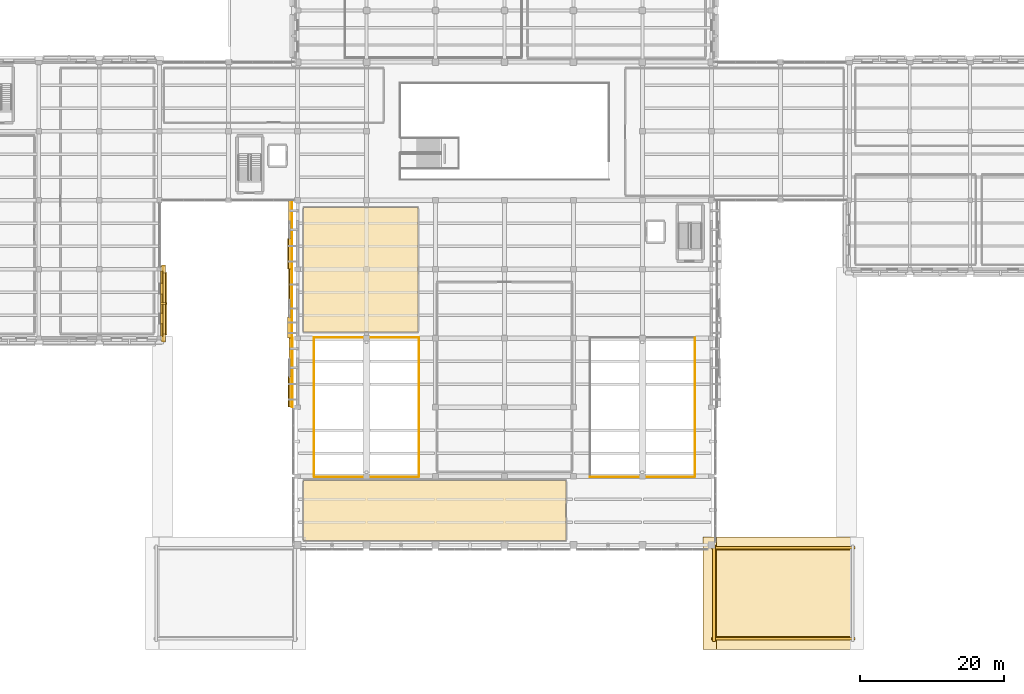
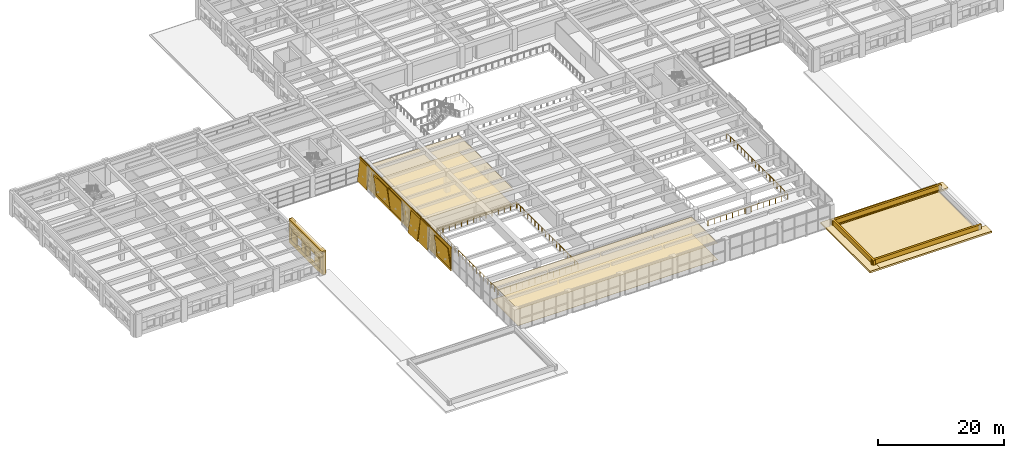
# One storey, part 40 of 49: 30 coverings, 3 railings, 1 shading device.
"""IFC4 building model written with IfcOpenShell, lengths in metres."""

from ifc_helpers import new_model, si_unit, direction, frame, origin, origin_2d, place, context, subcontext, project, spatial, polyline, rectangle, circle, outline, extrude, material, layer, layer_set, type_object, element, save


model = new_model("IFC4")

# Units and contexts
model_context = context("Model", 3, precision=1e-05, world=origin(), true_north=direction((0.0, 1.0)))
body_context = subcontext(model_context, "Body", "Model", "MODEL_VIEW")
ifc_project = project(units=[si_unit("LENGTHUNIT", "METRE"), si_unit("AREAUNIT", "SQUARE_METRE"), si_unit("VOLUMEUNIT", "CUBIC_METRE"), si_unit("PLANEANGLEUNIT", "RADIAN"), si_unit("MASSUNIT", "GRAM", prefix="KILO")], contexts=[model_context])

# Site, building, storey
site_placement = place(None, origin())
site = spatial("IfcSite", under=ifc_project, at=site_placement, CompositionType="ELEMENT")
building_placement = place(site_placement, origin())
building = spatial("IfcBuilding", under=site, at=building_placement, Name="Bempovik Park Faculty of Sciences", CompositionType="ELEMENT")
storey_placement = place(building_placement, frame((0.0, 0.0, 5.39990234375)))
storey = spatial("IfcBuildingStorey", under=building, at=storey_placement, Name="L01", CompositionType="ELEMENT", Elevation=5.39990234375)

# Coverings
ifc_material_1 = material(Name="Acoustic mineral ceiling tile")
ifc_layer_1 = layer(ifc_material_1, 0.0400390625)
ifc_layer_set_1 = layer_set([ifc_layer_1], Name="Acoustic mineral ceiling tile")
covering_type_1 = type_object("IfcCoveringType", Name="CE-01 Acoustic Ceiling 40mm", PredefinedType="CEILING", material=ifc_layer_set_1)
covering_1_placement = place(storey_placement, frame((0.0, 0.0, 3.18017578125)))
element("IfcCovering", 1, at=covering_1_placement, inside=storey, type_object=covering_type_1, Name="L01 Science Learning Commons South Reading Hall Acoustic Ceiling", PredefinedType="CEILING", context=body_context, shape_type="SweptSolid", body=[
    extrude(outline(polyline([(60.830078125, 20.429931640625), (97.3701171875, 20.429931640625), (97.3701171875, 28.77001953125), (60.830078125, 28.77001953125), (60.830078125, 20.429931640625)])), origin(), (0.0, 0.0, 1.0), 0.0400390625),
])
covering_2_placement = place(storey_placement, frame((0.0, 0.0, 3.18017578125)))
element("IfcCovering", 2, at=covering_2_placement, inside=storey, type_object=covering_type_1, Name="L01 Crystal West Seminar Room Acoustic Ceiling", PredefinedType="CEILING", context=body_context, shape_type="SweptSolid", body=[
    extrude(outline(polyline([(60.830078125, 49.429931640625), (76.77001953125, 49.429931640625), (76.77001953125, 66.77001953125), (60.830078125, 66.77001953125), (60.830078125, 49.429931640625)])), origin(), (0.0, 0.0, 1.0), 0.0400390625),
])
ifc_material_2 = material(Name="White reconstituted limestone precast C40/50", Category="masonry")
ifc_layer_2 = layer(ifc_material_2, 0.1201171875)
ifc_layer_set_2 = layer_set([ifc_layer_2], Name="White reconstituted limestone precast C40/50")
covering_type_2 = type_object("IfcCoveringType", Name="CL-01 Crystal Limestone Facet 120mm", PredefinedType="CLADDING", material=ifc_layer_set_2)
covering_3_placement = place(storey_placement, frame((59.257080078125, 43.800048828125, -0.0400390625), z_axis=(0.0, 0.0, 1.0), x_axis=(1.0, 0.0, 0.0)))
element("IfcCovering", 3, at=covering_3_placement, inside=storey, type_object=covering_type_2, Name="L01 White Crystal Seam Backing 600-390", PredefinedType="CLADDING", context=body_context, shape_type="SweptSolid", body=[
    extrude(rectangle(XDim=0.10009765625, YDim=9.679931640625, at=origin_2d()), origin(), (0.0, 0.0, 1.0), 4.580078125),
])
covering_4_placement = place(storey_placement, frame((59.320068359375, 41.1474609375, -0.02001953125), z_axis=(-0.132256390257, 0.0, 0.991215540252), x_axis=(0.0, 1.0, 0.0)))
element("IfcCovering", 4, at=covering_4_placement, inside=storey, type_object=covering_type_2, Name="L01 Tilted Crystal Limestone Facet FAC-CRYS-L01-600-390", PredefinedType="CLADDING", context=body_context, shape_type="SweptSolid", body=[
    extrude(rectangle(XDim=4.294921875, YDim=0.139892578125, at=origin_2d()), origin(), (0.0, 0.0, 1.0), 4.580078125),
])
covering_5_placement = place(storey_placement, frame((58.849609375, 47.12744140625, -0.02880859375), z_axis=(0.099319749744, 0.0, 0.995055569961), x_axis=(0.0, 1.0, 0.0)))
element("IfcCovering", 5, at=covering_5_placement, inside=storey, type_object=covering_type_2, Name="L01 Counter-Tilted Crystal Facet FAC-CRYS-L01-600-390-R", PredefinedType="CLADDING", context=body_context, shape_type="SweptSolid", body=[
    extrude(rectangle(XDim=2.945068359375, YDim=0.139892578125, at=origin_2d()), origin(), (0.0, 0.0, 1.0), 4.580078125),
])
covering_6_placement = place(storey_placement, frame((59.2412109375, 53.39990234375, -0.0400390625), z_axis=(0.0, 0.0, 1.0), x_axis=(1.0, 0.0, 0.0)))
element("IfcCovering", 6, at=covering_6_placement, inside=storey, type_object=covering_type_2, Name="L01 White Crystal Seam Backing 600-486", PredefinedType="CLADDING", context=body_context, shape_type="SweptSolid", body=[
    extrude(rectangle(XDim=0.10009765625, YDim=9.679931640625, at=origin_2d()), origin(), (0.0, 0.0, 1.0), 4.580078125),
])
covering_7_placement = place(storey_placement, frame((58.6826171875, 50.072509765625, -0.017822265625), z_axis=(0.13917310096, 0.0, 0.990268068742), x_axis=(0.0, 1.0, 0.0)))
element("IfcCovering", 7, at=covering_7_placement, inside=storey, type_object=covering_type_2, Name="L01 Tilted Crystal Limestone Facet FAC-CRYS-L01-600-486", PredefinedType="CLADDING", context=body_context, shape_type="SweptSolid", body=[
    extrude(rectangle(XDim=2.945068359375, YDim=0.139892578125, at=origin_2d()), origin(), (0.0, 0.0, 1.0), 4.580078125),
])
covering_8_placement = place(storey_placement, frame((59.300537109375, 56.052490234375, -0.027587890625), z_axis=(-0.104528463268, 0.0, 0.994521895368), x_axis=(0.0, 1.0, 0.0)))
element("IfcCovering", 8, at=covering_8_placement, inside=storey, type_object=covering_type_2, Name="L01 Counter-Tilted Crystal Facet FAC-CRYS-L01-600-486-R", PredefinedType="CLADDING", context=body_context, shape_type="SweptSolid", body=[
    extrude(rectangle(XDim=4.294921875, YDim=0.139892578125, at=origin_2d()), origin(), (0.0, 0.0, 1.0), 4.580078125),
])
covering_9_placement = place(storey_placement, frame((59.2333984375, 63.0, -0.0400390625), z_axis=(0.0, 0.0, 1.0), x_axis=(1.0, 0.0, 0.0)))
element("IfcCovering", 9, at=covering_9_placement, inside=storey, type_object=covering_type_2, Name="L01 White Crystal Seam Backing 600-582", PredefinedType="CLADDING", context=body_context, shape_type="SweptSolid", body=[
    extrude(rectangle(XDim=0.10009765625, YDim=9.679931640625, at=origin_2d()), origin(), (0.0, 0.0, 1.0), 4.580078125),
])
covering_10_placement = place(storey_placement, frame((59.320068359375, 60.347412109375, -0.0166015625), z_axis=(-0.142628933706, 0.0, 0.989776230908), x_axis=(0.0, 1.0, 0.0)))
element("IfcCovering", 10, at=covering_10_placement, inside=storey, type_object=covering_type_2, Name="L01 Tilted Crystal Limestone Facet FAC-CRYS-L01-600-582", PredefinedType="CLADDING", context=body_context, shape_type="SweptSolid", body=[
    extrude(rectangle(XDim=4.294921875, YDim=0.139892578125, at=origin_2d()), origin(), (0.0, 0.0, 1.0), 4.580078125),
])
covering_11_placement = place(storey_placement, frame((58.80810546875, 66.327392578125, -0.02685546875), z_axis=(0.107131754314, 0.0, 0.994244832633), x_axis=(0.0, 1.0, 0.0)))
element("IfcCovering", 11, at=covering_11_placement, inside=storey, type_object=covering_type_2, Name="L01 Counter-Tilted Crystal Facet FAC-CRYS-L01-600-582-R", PredefinedType="CLADDING", context=body_context, shape_type="SweptSolid", body=[
    extrude(rectangle(XDim=2.945068359375, YDim=0.139892578125, at=origin_2d()), origin(), (0.0, 0.0, 1.0), 4.580078125),
])
ifc_material_3 = material(Name="Precast concrete C40/50", Category="concrete")
ifc_layer_3 = layer(ifc_material_3, 0.179931640625)
ifc_layer_set_3 = layer_set([ifc_layer_3], Name="Precast concrete C40/50")
covering_type_3 = type_object("IfcCoveringType", Name="CL-02 Classical Cornice Band 180mm", PredefinedType="CLADDING", material=ifc_layer_set_3)
covering_12_placement = place(storey_placement, frame((41.300048828125, 53.39990234375, 4.14013671875), z_axis=(0.0, 0.0, 1.0), x_axis=(1.0, 0.0, 0.0)))
element("IfcCovering", 12, at=covering_12_placement, inside=storey, type_object=covering_type_3, Name="L01 Classical Projecting Dentil Cornice EW-L01-6400", PredefinedType="CLADDING", context=body_context, shape_type="SweptSolid", body=[
    extrude(rectangle(XDim=0.719970703125, YDim=10.406005859375, at=origin_2d()), origin(), (0.0, 0.0, 1.0), 0.360107421875),
])
covering_13_placement = place(storey_placement, frame((41.39990234375, 53.39990234375, 2.6103515625), z_axis=(0.0, 0.0, 1.0), x_axis=(1.0, 0.0, 0.0)))
element("IfcCovering", 13, at=covering_13_placement, inside=storey, type_object=covering_type_3, Name="L01 Classical Stone Solar Window Hood EW-L01-6400", PredefinedType="CLADDING", context=body_context, shape_type="SweptSolid", body=[
    extrude(rectangle(XDim=0.919921875, YDim=8.7060546875, at=origin_2d()), origin(), (0.0, 0.0, 1.0), 0.219970703125),
])
for number, where, z_axis, x_axis, name in (
    (14, (127.60009765625, 6.175048828125, -0.06982421875), (0.0, 0.0, 1.0), (1.0, 0.0, 0.0), "Classical Deep Overhanging Stone Eave COLE-S"),
    (15, (127.60009765625, 20.02490234375, -0.06982421875), (0.0, 0.0, 1.0), (1.0, 0.0, 0.0), "Classical Deep Overhanging Stone Eave COLE-N"),
):
    element("IfcCovering", number, at=place(storey_placement, frame(where, z_axis=z_axis, x_axis=x_axis)), inside=storey, type_object=covering_type_3, Name=name, PredefinedType="CLADDING", context=body_context, shape_type="SweptSolid", body=[
        extrude(rectangle(XDim=22.300048828125, YDim=1.85009765625, at=origin_2d()), origin(), (0.0, 0.0, 1.0), 0.340087890625),
    ])
covering_14_placement = place(storey_placement, frame((117.375, 13.10009765625, -0.06982421875), z_axis=(0.0, 0.0, 1.0), x_axis=(1.0, 0.0, 0.0)))
element("IfcCovering", 16, at=covering_14_placement, inside=storey, type_object=covering_type_3, Name="Classical Deep Overhanging Stone Eave COLE-W", PredefinedType="CLADDING", context=body_context, shape_type="SweptSolid", body=[
    extrude(rectangle(XDim=1.85009765625, YDim=15.699951171875, at=origin_2d()), origin(), (0.0, 0.0, 1.0), 0.340087890625),
])
ifc_layer_4 = layer(ifc_material_2, 0.239990234375)
ifc_layer_set_4 = layer_set([ifc_layer_4], Name="White reconstituted limestone precast C40/50")
covering_type_4 = type_object("IfcCoveringType", Name="CL-03 Classical Fluted Limestone Pilaster 240mm", PredefinedType="CLADDING", material=ifc_layer_set_4)
covering_15_placement = place(storey_placement, frame((41.110107421875, 53.39990234375, 3.22021484375), z_axis=(0.0, 0.0, 1.0), x_axis=(1.0, 0.0, 0.0)))
element("IfcCovering", 17, at=covering_15_placement, inside=storey, type_object=covering_type_4, Name="L01 Classical Limestone Spandrel Entablature EW-L01-6400", PredefinedType="CLADDING", context=body_context, shape_type="SweptSolid", body=[
    extrude(rectangle(XDim=0.340087890625, YDim=10.406005859375, at=origin_2d()), origin(), (0.0, 0.0, 1.0), 1.280029296875),
])
covering_16_placement = place(storey_placement, frame((41.110107421875, 53.39990234375, 0.0), z_axis=(0.0, 0.0, 1.0), x_axis=(1.0, 0.0, 0.0)))
element("IfcCovering", 18, at=covering_16_placement, inside=storey, type_object=covering_type_4, Name="L01 Classical Limestone Sill Dado EW-L01-6400", PredefinedType="CLADDING", context=body_context, shape_type="SweptSolid", body=[
    extrude(rectangle(XDim=0.340087890625, YDim=10.406005859375, at=origin_2d()), origin(), (0.0, 0.0, 1.0), 0.780029296875),
])
for number, where, z_axis, x_axis, name in (
    (19, (41.330078125, 48.60009765625, 0.0), (0.0, 0.0, 1.0), (1.0, 0.0, 0.0), "L01 Classical Fluted Stone Pilaster PIL-BA-L01-413-486"),
    (20, (41.330078125, 58.199951171875, 0.0), (0.0, 0.0, 1.0), (1.0, 0.0, 0.0), "L01 Classical Fluted Stone Pilaster PIL-BA-L01-413-582"),
):
    element("IfcCovering", number, at=place(storey_placement, frame(where, z_axis=z_axis, x_axis=x_axis)), inside=storey, type_object=covering_type_4, Name=name, PredefinedType="CLADDING", context=body_context, shape_type="SweptSolid", body=[
        extrude(rectangle(XDim=0.580078125, YDim=1.10009765625, at=origin_2d()), origin(), (0.0, 0.0, 1.0), 4.5),
    ])
covering_17_placement = place(storey_placement, frame((41.10009765625, 49.724609375, 0.000244140625), z_axis=(0.0, 0.0, 1.0), x_axis=(1.0, 0.0, 0.0)))
element("IfcCovering", 21, at=covering_17_placement, inside=storey, type_object=covering_type_4, Name="L01 White Limestone Wall Cheek EW-L01-6400-0", PredefinedType="CLADDING", context=body_context, shape_type="SweptSolid", body=[
    extrude(rectangle(XDim=0.239990234375, YDim=1.705078125, at=origin_2d()), origin(), (0.0, 0.0, 1.0), 3.3798828125),
])
covering_18_placement = place(storey_placement, frame((41.10009765625, 53.39990234375, 0.000244140625), z_axis=(0.0, 0.0, 1.0), x_axis=(1.0, 0.0, 0.0)))
element("IfcCovering", 22, at=covering_18_placement, inside=storey, type_object=covering_type_4, Name="L01 White Limestone Wall Cheek EW-L01-6400-2", PredefinedType="CLADDING", context=body_context, shape_type="SweptSolid", body=[
    extrude(rectangle(XDim=0.239990234375, YDim=2.685791015625, at=origin_2d()), origin(), (0.0, 0.0, 1.0), 3.3798828125),
])
covering_19_placement = place(storey_placement, frame((41.10009765625, 57.075439453125, 0.000244140625), z_axis=(0.0, 0.0, 1.0), x_axis=(1.0, 0.0, 0.0)))
element("IfcCovering", 23, at=covering_19_placement, inside=storey, type_object=covering_type_4, Name="L01 White Limestone Wall Cheek EW-L01-6400-4", PredefinedType="CLADDING", context=body_context, shape_type="SweptSolid", body=[
    extrude(rectangle(XDim=0.239990234375, YDim=1.705078125, at=origin_2d()), origin(), (0.0, 0.0, 1.0), 3.3798828125),
])
covering_20_placement = place(storey_placement, frame((41.31005859375, 53.39990234375, 0.7001953125), z_axis=(0.0, 0.0, 1.0), x_axis=(1.0, 0.0, 0.0)))
element("IfcCovering", 24, at=covering_20_placement, inside=storey, type_object=covering_type_4, Name="L01 Classical Vertical Stone Shading Fin EW-L01-6400", PredefinedType="CLADDING", context=body_context, shape_type="SweptSolid", body=[
    extrude(rectangle(XDim=0.719970703125, YDim=0.280029296875, at=origin_2d()), origin(), (0.0, 0.0, 1.0), 1.949951171875),
])
for number, where, z_axis, x_axis, name in (
    (25, (127.60009765625, 6.75, 0.10498046875), (0.0, 0.0, 1.0), (1.0, 0.0, 0.0), "White Limestone Attic Fascia COLE-S"),
    (26, (127.60009765625, 19.449951171875, 0.10498046875), (0.0, 0.0, 1.0), (1.0, 0.0, 0.0), "White Limestone Attic Fascia COLE-N"),
):
    element("IfcCovering", number, at=place(storey_placement, frame(where, z_axis=z_axis, x_axis=x_axis)), inside=storey, type_object=covering_type_4, Name=name, PredefinedType="CLADDING", context=body_context, shape_type="SweptSolid", body=[
        extrude(rectangle(XDim=20.0, YDim=0.360107421875, at=origin_2d()), origin(), (0.0, 0.0, 1.0), 1.050048828125),
    ])
covering_21_placement = place(storey_placement, frame((117.949951171875, 13.10009765625, 0.10498046875), z_axis=(0.0, 0.0, 1.0), x_axis=(1.0, 0.0, 0.0)))
element("IfcCovering", 27, at=covering_21_placement, inside=storey, type_object=covering_type_4, Name="White Limestone Attic Fascia COLE-W", PredefinedType="CLADDING", context=body_context, shape_type="SweptSolid", body=[
    extrude(rectangle(XDim=0.360107421875, YDim=13.39990234375, at=origin_2d()), origin(), (0.0, 0.0, 1.0), 1.050048828125),
])
ifc_material_4 = material(Name="Polished mineral terrazzo flooring")
ifc_layer_5 = layer(ifc_material_4, 0.030029296875)
ifc_layer_set_5 = layer_set([ifc_layer_5], Name="Polished mineral terrazzo flooring")
covering_type_5 = type_object("IfcCoveringType", Name="FL-01 Terrazzo Flooring 30mm", PredefinedType="FLOORING", material=ifc_layer_set_5)
covering_22_placement = place(storey_placement, origin())
element("IfcCovering", 28, at=covering_22_placement, inside=storey, type_object=covering_type_5, Name="L01 Science Learning Commons South Reading Hall Terrazzo Flooring", PredefinedType="FLOORING", context=body_context, shape_type="SweptSolid", body=[
    extrude(outline(polyline([(60.830078125, 20.429931640625), (97.3701171875, 20.429931640625), (97.3701171875, 28.77001953125), (60.830078125, 28.77001953125), (60.830078125, 20.429931640625)])), origin(), (0.0, 0.0, 1.0), 0.030029296875),
])
covering_23_placement = place(storey_placement, origin())
element("IfcCovering", 29, at=covering_23_placement, inside=storey, type_object=covering_type_5, Name="L01 Crystal West Seminar Room Terrazzo Flooring", PredefinedType="FLOORING", context=body_context, shape_type="SweptSolid", body=[
    extrude(outline(polyline([(60.830078125, 49.429931640625), (76.77001953125, 49.429931640625), (76.77001953125, 66.77001953125), (60.830078125, 66.77001953125), (60.830078125, 49.429931640625)])), origin(), (0.0, 0.0, 1.0), 0.030029296875),
])

# Railings
ifc_material_5 = material(Name="Anodised architectural bronze")
railing_type = type_object("IfcRailingType", Name="GR-01 Guardrail 1120mm", PredefinedType="GUARDRAIL", material=ifc_material_5)
railing_1_placement = place(storey_placement, frame((62.300048828125, 29.300048828125, 0.0)))
element("IfcRailing", 30, at=railing_1_placement, inside=storey, type_object=railing_type, Name="L01 Lecture Void 1 Guardrail SE", PredefinedType="GUARDRAIL", context=body_context, shape_type="SweptSolid", body=[
    extrude(circle(Radius=0.02392578125, at=origin_2d()), frame((0.0, 0.0, 1.09619140625), z_axis=(1.0, 0.0, 0.0), x_axis=(0.0, 1.0, 0.0)), (0.0, 0.0, 1.0), 14.599853515625),
    extrude(circle(Radius=0.02392578125, at=origin_2d()), frame((14.599853515625, 0.0, 1.09619140625), z_axis=(0.0, 1.0, 0.0), x_axis=(-1.0, 0.0, 0.0)), (0.0, 0.0, 1.0), 19.349853515625),
    extrude(circle(Radius=0.02099609375, at=origin_2d()), origin(), (0.0, 0.0, 1.0), 1.072021484375),
    extrude(circle(Radius=0.02099609375, at=origin_2d()), frame((1.123046875, 0.0, 0.0)), (0.0, 0.0, 1.0), 1.072021484375),
    extrude(circle(Radius=0.02099609375, at=origin_2d()), frame((2.24609375, 0.0, 0.0)), (0.0, 0.0, 1.0), 1.072021484375),
    extrude(circle(Radius=0.02099609375, at=origin_2d()), frame((3.369140625, 0.0, 0.0)), (0.0, 0.0, 1.0), 1.072021484375),
    extrude(circle(Radius=0.02099609375, at=origin_2d()), frame((4.4921875, 0.0, 0.0)), (0.0, 0.0, 1.0), 1.072021484375),
    extrude(circle(Radius=0.02099609375, at=origin_2d()), frame((5.615234375, 0.0, 0.0)), (0.0, 0.0, 1.0), 1.072021484375),
    extrude(circle(Radius=0.02099609375, at=origin_2d()), frame((6.73828125, 0.0, 0.0)), (0.0, 0.0, 1.0), 1.072021484375),
    extrude(circle(Radius=0.02099609375, at=origin_2d()), frame((7.861572265625, 0.0, 0.0)), (0.0, 0.0, 1.0), 1.072021484375),
    extrude(circle(Radius=0.02099609375, at=origin_2d()), frame((8.984619140625, 0.0, 0.0)), (0.0, 0.0, 1.0), 1.072021484375),
    extrude(circle(Radius=0.02099609375, at=origin_2d()), frame((10.107666015625, 0.0, 0.0)), (0.0, 0.0, 1.0), 1.072021484375),
    extrude(circle(Radius=0.02099609375, at=origin_2d()), frame((11.230712890625, 0.0, 0.0)), (0.0, 0.0, 1.0), 1.072021484375),
    extrude(circle(Radius=0.02099609375, at=origin_2d()), frame((12.353759765625, 0.0, 0.0)), (0.0, 0.0, 1.0), 1.072021484375),
    extrude(circle(Radius=0.02099609375, at=origin_2d()), frame((13.476806640625, 0.0, 0.0)), (0.0, 0.0, 1.0), 1.072021484375),
    extrude(circle(Radius=0.02099609375, at=origin_2d()), frame((14.599853515625, 0.0, 0.0)), (0.0, 0.0, 1.0), 1.072021484375),
    extrude(circle(Radius=0.02099609375, at=origin_2d()), frame((14.599853515625, 1.13818359375, 0.0)), (0.0, 0.0, 1.0), 1.072021484375),
    extrude(circle(Radius=0.02099609375, at=origin_2d()), frame((14.599853515625, 2.2763671875, 0.0)), (0.0, 0.0, 1.0), 1.072021484375),
    extrude(circle(Radius=0.02099609375, at=origin_2d()), frame((14.599853515625, 3.414794921875, 0.0)), (0.0, 0.0, 1.0), 1.072021484375),
    extrude(circle(Radius=0.02099609375, at=origin_2d()), frame((14.599853515625, 4.552978515625, 0.0)), (0.0, 0.0, 1.0), 1.072021484375),
    extrude(circle(Radius=0.02099609375, at=origin_2d()), frame((14.599853515625, 5.691162109375, 0.0)), (0.0, 0.0, 1.0), 1.072021484375),
    extrude(circle(Radius=0.02099609375, at=origin_2d()), frame((14.599853515625, 6.829345703125, 0.0)), (0.0, 0.0, 1.0), 1.072021484375),
    extrude(circle(Radius=0.02099609375, at=origin_2d()), frame((14.599853515625, 7.967529296875, 0.0)), (0.0, 0.0, 1.0), 1.072021484375),
    extrude(circle(Radius=0.02099609375, at=origin_2d()), frame((14.599853515625, 9.105712890625, 0.0)), (0.0, 0.0, 1.0), 1.072021484375),
    extrude(circle(Radius=0.02099609375, at=origin_2d()), frame((14.599853515625, 10.244140625, 0.0)), (0.0, 0.0, 1.0), 1.072021484375),
    extrude(circle(Radius=0.02099609375, at=origin_2d()), frame((14.599853515625, 11.38232421875, 0.0)), (0.0, 0.0, 1.0), 1.072021484375),
    extrude(circle(Radius=0.02099609375, at=origin_2d()), frame((14.599853515625, 12.5205078125, 0.0)), (0.0, 0.0, 1.0), 1.072021484375),
    extrude(circle(Radius=0.02099609375, at=origin_2d()), frame((14.599853515625, 13.65869140625, 0.0)), (0.0, 0.0, 1.0), 1.072021484375),
    extrude(circle(Radius=0.02099609375, at=origin_2d()), frame((14.599853515625, 14.796875, 0.0)), (0.0, 0.0, 1.0), 1.072021484375),
    extrude(circle(Radius=0.02099609375, at=origin_2d()), frame((14.599853515625, 15.93505859375, 0.0)), (0.0, 0.0, 1.0), 1.072021484375),
    extrude(circle(Radius=0.02099609375, at=origin_2d()), frame((14.599853515625, 17.073486328125, 0.0)), (0.0, 0.0, 1.0), 1.072021484375),
    extrude(circle(Radius=0.02099609375, at=origin_2d()), frame((14.599853515625, 18.211669921875, 0.0)), (0.0, 0.0, 1.0), 1.072021484375),
    extrude(circle(Radius=0.02099609375, at=origin_2d()), frame((14.599853515625, 19.349853515625, 0.0)), (0.0, 0.0, 1.0), 1.072021484375),
])
railing_2_placement = place(storey_placement, frame((76.85009765625, 48.699951171875, 0.0)))
element("IfcRailing", 31, at=railing_2_placement, inside=storey, type_object=railing_type, Name="L01 Lecture Void 1 Guardrail NW", PredefinedType="GUARDRAIL", context=body_context, shape_type="SweptSolid", body=[
    extrude(circle(Radius=0.02392578125, at=origin_2d()), frame((0.0, 0.0, 1.09619140625), z_axis=(-1.0, 0.0, 0.0), x_axis=(0.0, -1.0, 0.0)), (0.0, 0.0, 1.0), 14.550048828125),
    extrude(circle(Radius=0.02392578125, at=origin_2d()), frame((-14.550048828125, 0.0, 1.09619140625), z_axis=(0.0, -1.0, 0.0), x_axis=(1.0, 0.0, 0.0)), (0.0, 0.0, 1.0), 19.349853515625),
    extrude(circle(Radius=0.02099609375, at=origin_2d()), origin(), (0.0, 0.0, 1.0), 1.072021484375),
    extrude(circle(Radius=0.02099609375, at=origin_2d()), frame((-1.119140625, 0.0, 0.0)), (0.0, 0.0, 1.0), 1.072021484375),
    extrude(circle(Radius=0.02099609375, at=origin_2d()), frame((-2.238525390625, 0.0, 0.0)), (0.0, 0.0, 1.0), 1.072021484375),
    extrude(circle(Radius=0.02099609375, at=origin_2d()), frame((-3.357666015625, 0.0, 0.0)), (0.0, 0.0, 1.0), 1.072021484375),
    extrude(circle(Radius=0.02099609375, at=origin_2d()), frame((-4.47705078125, 0.0, 0.0)), (0.0, 0.0, 1.0), 1.072021484375),
    extrude(circle(Radius=0.02099609375, at=origin_2d()), frame((-5.59619140625, 0.0, 0.0)), (0.0, 0.0, 1.0), 1.072021484375),
    extrude(circle(Radius=0.02099609375, at=origin_2d()), frame((-6.71533203125, 0.0, 0.0)), (0.0, 0.0, 1.0), 1.072021484375),
    extrude(circle(Radius=0.02099609375, at=origin_2d()), frame((-7.834716796875, 0.0, 0.0)), (0.0, 0.0, 1.0), 1.072021484375),
    extrude(circle(Radius=0.02099609375, at=origin_2d()), frame((-8.953857421875, 0.0, 0.0)), (0.0, 0.0, 1.0), 1.072021484375),
    extrude(circle(Radius=0.02099609375, at=origin_2d()), frame((-10.072998046875, 0.0, 0.0)), (0.0, 0.0, 1.0), 1.072021484375),
    extrude(circle(Radius=0.02099609375, at=origin_2d()), frame((-11.1923828125, 0.0, 0.0)), (0.0, 0.0, 1.0), 1.072021484375),
    extrude(circle(Radius=0.02099609375, at=origin_2d()), frame((-12.3115234375, 0.0, 0.0)), (0.0, 0.0, 1.0), 1.072021484375),
    extrude(circle(Radius=0.02099609375, at=origin_2d()), frame((-13.430908203125, 0.0, 0.0)), (0.0, 0.0, 1.0), 1.072021484375),
    extrude(circle(Radius=0.02099609375, at=origin_2d()), frame((-14.550048828125, 0.0, 0.0)), (0.0, 0.0, 1.0), 1.072021484375),
    extrude(circle(Radius=0.02099609375, at=origin_2d()), frame((-14.550048828125, -1.13818359375, 0.0)), (0.0, 0.0, 1.0), 1.072021484375),
    extrude(circle(Radius=0.02099609375, at=origin_2d()), frame((-14.550048828125, -2.2763671875, 0.0)), (0.0, 0.0, 1.0), 1.072021484375),
    extrude(circle(Radius=0.02099609375, at=origin_2d()), frame((-14.550048828125, -3.414794921875, 0.0)), (0.0, 0.0, 1.0), 1.072021484375),
    extrude(circle(Radius=0.02099609375, at=origin_2d()), frame((-14.550048828125, -4.552978515625, 0.0)), (0.0, 0.0, 1.0), 1.072021484375),
    extrude(circle(Radius=0.02099609375, at=origin_2d()), frame((-14.550048828125, -5.691162109375, 0.0)), (0.0, 0.0, 1.0), 1.072021484375),
    extrude(circle(Radius=0.02099609375, at=origin_2d()), frame((-14.550048828125, -6.829345703125, 0.0)), (0.0, 0.0, 1.0), 1.072021484375),
    extrude(circle(Radius=0.02099609375, at=origin_2d()), frame((-14.550048828125, -7.967529296875, 0.0)), (0.0, 0.0, 1.0), 1.072021484375),
    extrude(circle(Radius=0.02099609375, at=origin_2d()), frame((-14.550048828125, -9.105712890625, 0.0)), (0.0, 0.0, 1.0), 1.072021484375),
    extrude(circle(Radius=0.02099609375, at=origin_2d()), frame((-14.550048828125, -10.244140625, 0.0)), (0.0, 0.0, 1.0), 1.072021484375),
    extrude(circle(Radius=0.02099609375, at=origin_2d()), frame((-14.550048828125, -11.38232421875, 0.0)), (0.0, 0.0, 1.0), 1.072021484375),
    extrude(circle(Radius=0.02099609375, at=origin_2d()), frame((-14.550048828125, -12.5205078125, 0.0)), (0.0, 0.0, 1.0), 1.072021484375),
    extrude(circle(Radius=0.02099609375, at=origin_2d()), frame((-14.550048828125, -13.65869140625, 0.0)), (0.0, 0.0, 1.0), 1.072021484375),
    extrude(circle(Radius=0.02099609375, at=origin_2d()), frame((-14.550048828125, -14.796875, 0.0)), (0.0, 0.0, 1.0), 1.072021484375),
    extrude(circle(Radius=0.02099609375, at=origin_2d()), frame((-14.550048828125, -15.93505859375, 0.0)), (0.0, 0.0, 1.0), 1.072021484375),
    extrude(circle(Radius=0.02099609375, at=origin_2d()), frame((-14.550048828125, -17.073486328125, 0.0)), (0.0, 0.0, 1.0), 1.072021484375),
    extrude(circle(Radius=0.02099609375, at=origin_2d()), frame((-14.550048828125, -18.211669921875, 0.0)), (0.0, 0.0, 1.0), 1.072021484375),
    extrude(circle(Radius=0.02099609375, at=origin_2d()), frame((-14.550048828125, -19.349853515625, 0.0)), (0.0, 0.0, 1.0), 1.072021484375),
])
railing_3_placement = place(storey_placement, frame((100.699951171875, 29.300048828125, 0.0)))
element("IfcRailing", 32, at=railing_3_placement, inside=storey, type_object=railing_type, Name="L01 Lecture Void 2 Guardrail SE", PredefinedType="GUARDRAIL", context=body_context, shape_type="SweptSolid", body=[
    extrude(circle(Radius=0.02392578125, at=origin_2d()), frame((0.0, 0.0, 1.09619140625), z_axis=(1.0, 0.0, 0.0), x_axis=(0.0, 1.0, 0.0)), (0.0, 0.0, 1.0), 14.60009765625),
    extrude(circle(Radius=0.02392578125, at=origin_2d()), frame((14.60009765625, 0.0, 1.09619140625), z_axis=(0.0, 1.0, 0.0), x_axis=(-1.0, 0.0, 0.0)), (0.0, 0.0, 1.0), 19.349853515625),
    extrude(circle(Radius=0.02099609375, at=origin_2d()), origin(), (0.0, 0.0, 1.0), 1.072021484375),
    extrude(circle(Radius=0.02099609375, at=origin_2d()), frame((1.123046875, 0.0, 0.0)), (0.0, 0.0, 1.0), 1.072021484375),
    extrude(circle(Radius=0.02099609375, at=origin_2d()), frame((2.24609375, 0.0, 0.0)), (0.0, 0.0, 1.0), 1.072021484375),
    extrude(circle(Radius=0.02099609375, at=origin_2d()), frame((3.369140625, 0.0, 0.0)), (0.0, 0.0, 1.0), 1.072021484375),
    extrude(circle(Radius=0.02099609375, at=origin_2d()), frame((4.492431640625, 0.0, 0.0)), (0.0, 0.0, 1.0), 1.072021484375),
    extrude(circle(Radius=0.02099609375, at=origin_2d()), frame((5.615478515625, 0.0, 0.0)), (0.0, 0.0, 1.0), 1.072021484375),
    extrude(circle(Radius=0.02099609375, at=origin_2d()), frame((6.738525390625, 0.0, 0.0)), (0.0, 0.0, 1.0), 1.072021484375),
    extrude(circle(Radius=0.02099609375, at=origin_2d()), frame((7.861572265625, 0.0, 0.0)), (0.0, 0.0, 1.0), 1.072021484375),
    extrude(circle(Radius=0.02099609375, at=origin_2d()), frame((8.984619140625, 0.0, 0.0)), (0.0, 0.0, 1.0), 1.072021484375),
    extrude(circle(Radius=0.02099609375, at=origin_2d()), frame((10.107666015625, 0.0, 0.0)), (0.0, 0.0, 1.0), 1.072021484375),
    extrude(circle(Radius=0.02099609375, at=origin_2d()), frame((11.23095703125, 0.0, 0.0)), (0.0, 0.0, 1.0), 1.072021484375),
    extrude(circle(Radius=0.02099609375, at=origin_2d()), frame((12.35400390625, 0.0, 0.0)), (0.0, 0.0, 1.0), 1.072021484375),
    extrude(circle(Radius=0.02099609375, at=origin_2d()), frame((13.47705078125, 0.0, 0.0)), (0.0, 0.0, 1.0), 1.072021484375),
    extrude(circle(Radius=0.02099609375, at=origin_2d()), frame((14.60009765625, 0.0, 0.0)), (0.0, 0.0, 1.0), 1.072021484375),
    extrude(circle(Radius=0.02099609375, at=origin_2d()), frame((14.60009765625, 1.13818359375, 0.0)), (0.0, 0.0, 1.0), 1.072021484375),
    extrude(circle(Radius=0.02099609375, at=origin_2d()), frame((14.60009765625, 2.2763671875, 0.0)), (0.0, 0.0, 1.0), 1.072021484375),
    extrude(circle(Radius=0.02099609375, at=origin_2d()), frame((14.60009765625, 3.414794921875, 0.0)), (0.0, 0.0, 1.0), 1.072021484375),
    extrude(circle(Radius=0.02099609375, at=origin_2d()), frame((14.60009765625, 4.552978515625, 0.0)), (0.0, 0.0, 1.0), 1.072021484375),
    extrude(circle(Radius=0.02099609375, at=origin_2d()), frame((14.60009765625, 5.691162109375, 0.0)), (0.0, 0.0, 1.0), 1.072021484375),
    extrude(circle(Radius=0.02099609375, at=origin_2d()), frame((14.60009765625, 6.829345703125, 0.0)), (0.0, 0.0, 1.0), 1.072021484375),
    extrude(circle(Radius=0.02099609375, at=origin_2d()), frame((14.60009765625, 7.967529296875, 0.0)), (0.0, 0.0, 1.0), 1.072021484375),
    extrude(circle(Radius=0.02099609375, at=origin_2d()), frame((14.60009765625, 9.105712890625, 0.0)), (0.0, 0.0, 1.0), 1.072021484375),
    extrude(circle(Radius=0.02099609375, at=origin_2d()), frame((14.60009765625, 10.244140625, 0.0)), (0.0, 0.0, 1.0), 1.072021484375),
    extrude(circle(Radius=0.02099609375, at=origin_2d()), frame((14.60009765625, 11.38232421875, 0.0)), (0.0, 0.0, 1.0), 1.072021484375),
    extrude(circle(Radius=0.02099609375, at=origin_2d()), frame((14.60009765625, 12.5205078125, 0.0)), (0.0, 0.0, 1.0), 1.072021484375),
    extrude(circle(Radius=0.02099609375, at=origin_2d()), frame((14.60009765625, 13.65869140625, 0.0)), (0.0, 0.0, 1.0), 1.072021484375),
    extrude(circle(Radius=0.02099609375, at=origin_2d()), frame((14.60009765625, 14.796875, 0.0)), (0.0, 0.0, 1.0), 1.072021484375),
    extrude(circle(Radius=0.02099609375, at=origin_2d()), frame((14.60009765625, 15.93505859375, 0.0)), (0.0, 0.0, 1.0), 1.072021484375),
    extrude(circle(Radius=0.02099609375, at=origin_2d()), frame((14.60009765625, 17.073486328125, 0.0)), (0.0, 0.0, 1.0), 1.072021484375),
    extrude(circle(Radius=0.02099609375, at=origin_2d()), frame((14.60009765625, 18.211669921875, 0.0)), (0.0, 0.0, 1.0), 1.072021484375),
    extrude(circle(Radius=0.02099609375, at=origin_2d()), frame((14.60009765625, 19.349853515625, 0.0)), (0.0, 0.0, 1.0), 1.072021484375),
])

# Covering
ifc_material_6 = material(Name="Insulated cool-roof membrane")
ifc_layer_6 = layer(ifc_material_6, 0.06005859375)
ifc_layer_set_6 = layer_set([ifc_layer_6], Name="Insulated cool-roof membrane")
covering_type_6 = type_object("IfcCoveringType", Name="RF-01 Cool Roof Membrane 60mm", PredefinedType="ROOFING", material=ifc_layer_set_6)
covering_24_placement = place(storey_placement, origin())
element("IfcCovering", 33, at=covering_24_placement, inside=storey, type_object=covering_type_6, Name="Cool-Roof Membrane RF-COL-E", PredefinedType="ROOFING", context=body_context, shape_type="SweptSolid", body=[
    extrude(outline(polyline([(117.85009765625, 6.85009765625), (137.14990234375, 6.85009765625), (137.14990234375, 19.550048828125), (117.85009765625, 19.550048828125), (117.85009765625, 6.85009765625)])), origin(), (0.0, 0.0, 1.0), 0.06005859375),
])

# Shading device
ifc_layer_7 = layer(ifc_material_5, 0.06005859375)
ifc_layer_set_7 = layer_set([ifc_layer_7], Name="Anodised architectural bronze")
shading_device_type = type_object("IfcShadingDeviceType", Name="SH-01 Bronze Brise-Soleil Fin", PredefinedType="USERDEFINED", material=ifc_layer_set_7)
shading_device_placement = place(storey_placement, frame((41.280029296875, 53.39990234375, 2.550048828125), z_axis=(0.0, 0.0, 1.0), x_axis=(1.0, 0.0, 0.0)))
element("IfcShadingDevice", 34, at=shading_device_placement, inside=storey, type_object=shading_device_type, Name="L01 Equatorial Bronze Brise-Soleil EW-L01-6400", ObjectType="BRISE SOLEIL", PredefinedType="USERDEFINED", context=body_context, shape_type="SweptSolid", body=[
    extrude(rectangle(XDim=0.64990234375, YDim=8.555908203125, at=origin_2d()), origin(), (0.0, 0.0, 1.0), 0.06005859375),
])

save(model, "model.ifc")
